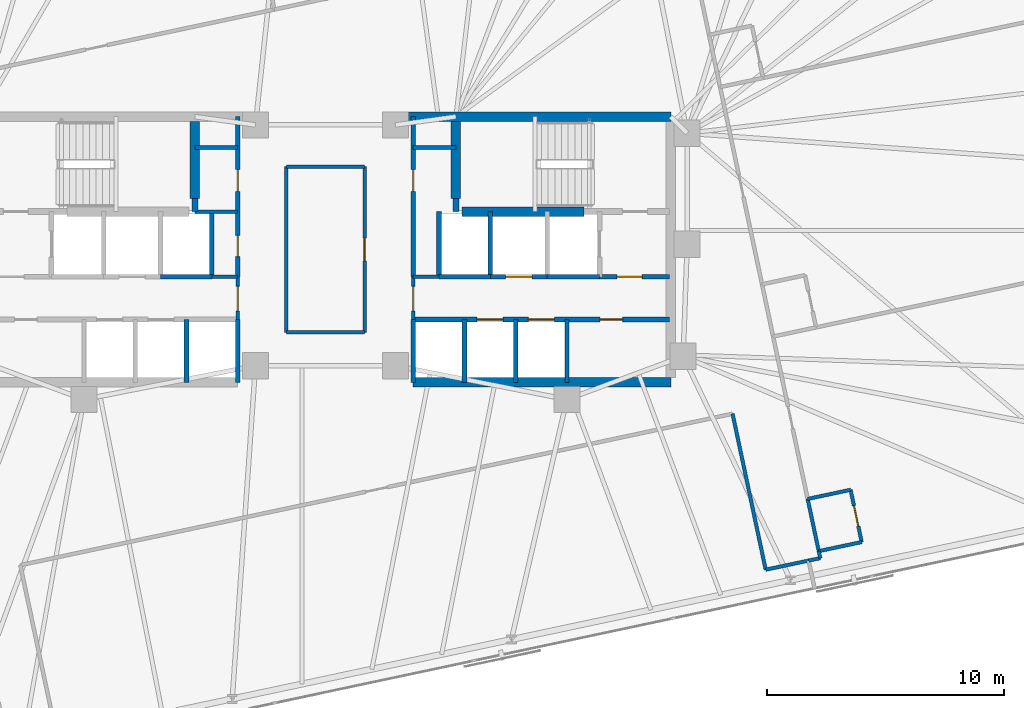
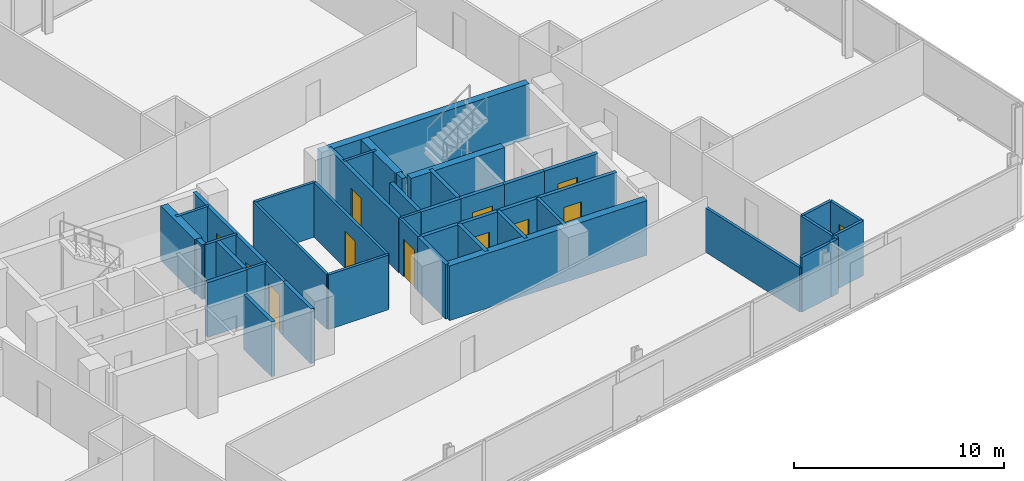
# One storey, part 15 of 19: 43 walls, 12 doors, 12 openings.
"""IFC4 building model written with IfcOpenShell, lengths in metres."""

from ifc_helpers import new_model, si_unit, direction, frame, frame_2d, origin, place, context, subcontext, project, spatial, rectangle, extrude, material, layer, layer_set, type_object, element, fill, save


model = new_model("IFC4")

# Units and contexts
model_context = context("Model", 3, precision=1e-05, world=origin(), true_north=direction((0.0, 1.0)))
body_context = subcontext(model_context, "Body", "Model", "MODEL_VIEW")
ifc_project = project(units=[si_unit("LENGTHUNIT", "METRE"), si_unit("AREAUNIT", "SQUARE_METRE"), si_unit("VOLUMEUNIT", "CUBIC_METRE"), si_unit("PLANEANGLEUNIT", "RADIAN"), si_unit("MASSUNIT", "GRAM", prefix="KILO")], contexts=[model_context])

# Site, building, storey
site_placement = place(None, origin())
site = spatial("IfcSite", under=ifc_project, at=site_placement, CompositionType="ELEMENT")
building_placement = place(site_placement, origin())
building = spatial("IfcBuilding", under=site, at=building_placement, Name="Menara Jurai Vektor", CompositionType="ELEMENT")
storey_placement = place(building_placement, frame((0.0, 0.0, 171.800048828125)))
storey = spatial("IfcBuildingStorey", under=building, at=storey_placement, Name="L44", CompositionType="ELEMENT", Elevation=171.800048828125)

# Walls
ifc_material_1 = material(Name="Concrete C40/50", Category="concrete")
ifc_layer_1 = layer(ifc_material_1, 0.25)
ifc_layer_set_1 = layer_set([ifc_layer_1], Name="Concrete C40/50")
wall_type_1 = type_object("IfcWallType", Name="INT-WALL-CORE-250", PredefinedType="STANDARD", material=ifc_layer_set_1)
for number, where, z_axis, x_axis, name in (
    (1, (-5.5, 1.60009765625, 0.0), (0.0, 0.0, 1.0), (0.0, 1.0, 0.0), "Interior Wall IW-250 L44"),
    (2, (5.5, 1.60009765625, 0.0), (0.0, 0.0, 1.0), (0.0, 1.0, 0.0), "Interior Wall IW-250 L44"),
):
    element("IfcWall", number, at=place(storey_placement, frame(where, z_axis=z_axis, x_axis=x_axis)), inside=storey, type_object=wall_type_1, Name=name, PredefinedType="STANDARD", context=body_context, shape_type="SweptSolid", body=[
        extrude(rectangle(XDim=0.5498046875, YDim=0.25, at=frame_2d((0.27490234375, 0.0))), origin(), (0.0, 0.0, 1.0), 3.175048828125),
    ])

# Wall, opening, door
wall_1_placement = place(storey_placement, frame((11.550048828125, -1.14990234375, 0.0), z_axis=(0.0, 0.0, 1.0), x_axis=(1.0, 0.0, 0.0)))
wall_1 = element("IfcWall", 3, at=wall_1_placement, inside=storey, type_object=wall_type_1, Name="Interior Wall IW-250 L44", PredefinedType="STANDARD", context=body_context, shape_type="SweptSolid", body=[
    extrude(rectangle(XDim=2.949951171875, YDim=0.199951171875, at=frame_2d((1.47509765625, 0.0))), origin(), (0.0, 0.0, 1.0), 3.175048828125),
])
opening_1_placement = place(wall_1_placement, frame((0.75, 0.0, 0.0)))
opening_1 = element("IfcOpeningElement", 4, at=opening_1_placement, cuts=wall_1, Name="Opening D-L44-FFE", PredefinedType="OPENING", context=body_context, shape_type="SweptSolid", body=[
    extrude(rectangle(XDim=1.050048828125, YDim=2.179931640625, at=frame_2d((0.52490234375, 1.08984375))), frame((0.0, 0.10986328125, 0.0), z_axis=(0.0, -1.0, 0.0), x_axis=(1.0, 0.0, 0.0)), (0.0, 0.0, 1.0), 0.219970703125),
])
ifc_material_2 = material(Name="Fire-Rated Timber Door", Category="wood")
door_type_1 = type_object("IfcDoorType", Name="DR-LOBBY-1050", OperationType="NOTDEFINED", PredefinedType="DOOR", material=ifc_material_2)
door_1_placement = place(opening_1_placement, origin())
door_1 = element("IfcDoor", 5, at=door_1_placement, inside=storey, type_object=door_type_1, Name="Fire Lift Lobby Door E L44", OperationType="SINGLE_SWING_LEFT", OverallHeight=2.179931640625, OverallWidth=1.050048828125, PredefinedType="DOOR", context=body_context, shape_type="SweptSolid", body=[
    extrude(rectangle(XDim=1.050048828125, YDim=2.179931640625, at=frame_2d((0.52490234375, 1.08984375))), frame((0.0, 0.02490234375, 0.0), z_axis=(0.0, -1.0, 0.0), x_axis=(1.0, 0.0, 0.0)), (0.0, 0.0, 1.0), 0.050048828125),
])
fill(opening_1, door_1)

# Wall
wall_2_placement = place(storey_placement, frame((9.35009765625, -1.14990234375, 0.0), z_axis=(0.0, 0.0, 1.0), x_axis=(1.0, 0.0, 0.0)))
element("IfcWall", 6, at=wall_2_placement, inside=storey, type_object=wall_type_1, Name="Interior Wall IW-250 L44", PredefinedType="STANDARD", context=body_context, shape_type="SweptSolid", body=[
    extrude(rectangle(XDim=2.199951171875, YDim=0.199951171875, at=frame_2d((1.10009765625, 0.0))), origin(), (0.0, 0.0, 1.0), 3.175048828125),
])

# Wall, opening, door
ifc_material_3 = material(Name="Gypsum Fireboard Partition", Category="gypsum")
ifc_layer_2 = layer(ifc_material_3, 0.14990234375)
ifc_layer_set_2 = layer_set([ifc_layer_2], Name="Gypsum Fireboard Partition")
wall_type_2 = type_object("IfcWallType", Name="INT-WALL-CORR-150", PredefinedType="PARTITIONING", material=ifc_layer_set_2)
wall_3_placement = place(storey_placement, frame((-3.699951171875, -2.949951171875, 0.0), z_axis=(0.0, 0.0, 1.0), x_axis=(0.0, 1.0, 0.0)))
wall_3 = element("IfcWall", 7, at=wall_3_placement, inside=storey, type_object=wall_type_2, Name="Interior Wall IW-150 L44", PredefinedType="PARTITIONING", context=body_context, shape_type="SweptSolid", body=[
    extrude(rectangle(XDim=1.800048828125, YDim=0.14990234375, at=frame_2d((0.89990234375, 0.0))), origin(), (0.0, 0.0, 1.0), 3.175048828125),
])
opening_2_placement = place(wall_3_placement, frame((0.35009765625, 0.0, 0.0)))
opening_2 = element("IfcOpeningElement", 8, at=opening_2_placement, cuts=wall_3, Name="Opening D-L44-LLW", PredefinedType="OPENING", context=body_context, shape_type="SweptSolid", body=[
    extrude(rectangle(XDim=1.050048828125, YDim=2.179931640625, at=frame_2d((0.52490234375, 1.08984375))), frame((0.0, 0.0849609375, 0.0), z_axis=(0.0, -1.0, 0.0), x_axis=(1.0, 0.0, 0.0)), (0.0, 0.0, 1.0), 0.169921875),
])
door_2_placement = place(opening_2_placement, origin())
door_2 = element("IfcDoor", 9, at=door_2_placement, inside=storey, type_object=door_type_1, Name="Lift Lobby Corridor Door W L44", OperationType="SINGLE_SWING_LEFT", OverallHeight=2.179931640625, OverallWidth=1.050048828125, PredefinedType="DOOR", context=body_context, shape_type="SweptSolid", body=[
    extrude(rectangle(XDim=1.050048828125, YDim=2.179931640625, at=frame_2d((0.52490234375, 1.08984375))), frame((0.0, 0.02490234375, 0.0), z_axis=(0.0, -1.0, 0.0), x_axis=(1.0, 0.0, 0.0)), (0.0, 0.0, 1.0), 0.050048828125),
])
fill(opening_2, door_2)

# Wall
wall_4_placement = place(storey_placement, frame((-4.7900390625, -1.14990234375, 0.0), z_axis=(0.0, 0.0, 1.0), x_axis=(1.0, 0.0, 0.0)))
element("IfcWall", 10, at=wall_4_placement, inside=storey, type_object=wall_type_2, Name="Interior Wall IW-150 L44", PredefinedType="PARTITIONING", context=body_context, shape_type="SweptSolid", body=[
    extrude(rectangle(XDim=1.090087890625, YDim=0.14990234375, at=frame_2d((0.544921875, 0.0))), origin(), (0.0, 0.0, 1.0), 3.175048828125),
])

# Wall, opening, door
wall_5_placement = place(storey_placement, frame((3.699951171875, -2.949951171875, 0.0), z_axis=(0.0, 0.0, 1.0), x_axis=(0.0, 1.0, 0.0)))
wall_5 = element("IfcWall", 11, at=wall_5_placement, inside=storey, type_object=wall_type_2, Name="Interior Wall IW-150 L44", PredefinedType="PARTITIONING", context=body_context, shape_type="SweptSolid", body=[
    extrude(rectangle(XDim=1.800048828125, YDim=0.14990234375, at=frame_2d((0.89990234375, 0.0))), origin(), (0.0, 0.0, 1.0), 3.175048828125),
])
opening_3_placement = place(wall_5_placement, frame((0.35009765625, 0.0, 0.0)))
opening_3 = element("IfcOpeningElement", 12, at=opening_3_placement, cuts=wall_5, Name="Opening D-L44-LLE", PredefinedType="OPENING", context=body_context, shape_type="SweptSolid", body=[
    extrude(rectangle(XDim=1.050048828125, YDim=2.179931640625, at=frame_2d((0.52490234375, 1.08984375))), frame((0.0, 0.0849609375, 0.0), z_axis=(0.0, -1.0, 0.0), x_axis=(1.0, 0.0, 0.0)), (0.0, 0.0, 1.0), 0.169921875),
])
door_3_placement = place(opening_3_placement, frame((1.050048828125, 0.0, 0.0), z_axis=(0.0, 0.0, 1.0), x_axis=(-1.0, 0.0, 0.0)))
door_3 = element("IfcDoor", 13, at=door_3_placement, inside=storey, type_object=door_type_1, Name="Lift Lobby Corridor Door E L44", OperationType="SINGLE_SWING_RIGHT", OverallHeight=2.179931640625, OverallWidth=1.050048828125, PredefinedType="DOOR", context=body_context, shape_type="SweptSolid", body=[
    extrude(rectangle(XDim=1.050048828125, YDim=2.179931640625, at=frame_2d((0.52490234375, 1.08984375))), frame((0.0, 0.02490234375, 0.0), z_axis=(0.0, -1.0, 0.0), x_axis=(1.0, 0.0, 0.0)), (0.0, 0.0, 1.0), 0.050048828125),
])
fill(opening_3, door_3)

# Walls
wall_6_placement = place(storey_placement, frame((3.699951171875, -1.14990234375, 0.0), z_axis=(0.0, 0.0, 1.0), x_axis=(1.0, 0.0, 0.0)))
element("IfcWall", 14, at=wall_6_placement, inside=storey, type_object=wall_type_2, Name="Interior Wall IW-150 L44", PredefinedType="PARTITIONING", context=body_context, shape_type="SweptSolid", body=[
    extrude(rectangle(XDim=1.090087890625, YDim=0.14990234375, at=frame_2d((0.544921875, 0.0))), origin(), (0.0, 0.0, 1.0), 3.175048828125),
])
for number, where, z_axis, x_axis, name in (
    (15, (-5.5, 4.300048828125, 0.0), (0.0, 0.0, 1.0), (1.0, 0.0, 0.0), "Interior Wall IW-150 L44"),
    (16, (-5.5, 1.60009765625, 0.0), (0.0, 0.0, 1.0), (1.0, 0.0, 0.0), "Interior Wall IW-150 L44"),
    (17, (3.699951171875, 4.300048828125, 0.0), (0.0, 0.0, 1.0), (1.0, 0.0, 0.0), "Interior Wall IW-150 L44"),
):
    element("IfcWall", number, at=place(storey_placement, frame(where, z_axis=z_axis, x_axis=x_axis)), inside=storey, type_object=wall_type_2, Name=name, PredefinedType="PARTITIONING", context=body_context, shape_type="SweptSolid", body=[
        extrude(rectangle(XDim=1.800048828125, YDim=0.14990234375, at=frame_2d((0.89990234375, 0.0))), origin(), (0.0, 0.0, 1.0), 3.175048828125),
    ])
wall_7_placement = place(storey_placement, frame((-1.64990234375, -3.489501953125, 0.0), z_axis=(0.0, 0.0, 1.0), x_axis=(-3.4979712e-05, 0.999999999388, 0.0)))
element("IfcWall", 18, at=wall_7_placement, inside=storey, type_object=wall_type_2, Name="Interior Wall IW-150 L44", PredefinedType="PARTITIONING", context=body_context, shape_type="SweptSolid", body=[
    extrude(rectangle(XDim=6.9794921875, YDim=0.14990234375, at=frame_2d((3.48974609375, 0.0))), origin(), (0.0, 0.0, 1.0), 3.175048828125),
])
wall_8_placement = place(storey_placement, frame((-1.64990234375, -3.489501953125, 0.0), z_axis=(0.0, 0.0, 1.0), x_axis=(0.999999975374, -0.000221926315, 0.0)))
element("IfcWall", 19, at=wall_8_placement, inside=storey, type_object=wall_type_2, Name="Interior Wall IW-150 L44", PredefinedType="PARTITIONING", context=body_context, shape_type="SweptSolid", body=[
    extrude(rectangle(XDim=3.30029296875, YDim=0.14990234375, at=frame_2d((1.650146484375, 0.0))), origin(), (0.0, 0.0, 1.0), 3.175048828125),
])
wall_9_placement = place(storey_placement, frame((-1.650146484375, 3.489990234375, 0.0), z_axis=(0.0, 0.0, 1.0), x_axis=(1.0, 0.0, 0.0)))
element("IfcWall", 20, at=wall_9_placement, inside=storey, type_object=wall_type_2, Name="Interior Wall IW-150 L44", PredefinedType="PARTITIONING", context=body_context, shape_type="SweptSolid", body=[
    extrude(rectangle(XDim=3.300048828125, YDim=0.14990234375, at=frame_2d((1.64990234375, 0.0))), origin(), (0.0, 0.0, 1.0), 3.175048828125),
])

# Wall, opening, door
wall_10_placement = place(storey_placement, frame((1.650390625, -3.490234375, 0.0), z_axis=(0.0, 0.0, 1.0), x_axis=(-6.9952083e-05, 0.999999997553, 0.0)))
wall_10 = element("IfcWall", 21, at=wall_10_placement, inside=storey, type_object=wall_type_2, Name="Interior Wall IW-150 L44", PredefinedType="PARTITIONING", context=body_context, shape_type="SweptSolid", body=[
    extrude(rectangle(XDim=6.980224609375, YDim=0.14990234375, at=frame_2d((3.490234375, 0.0))), origin(), (0.0, 0.0, 1.0), 3.175048828125),
])
opening_4_placement = place(wall_10_placement, frame((3.01513671875, 0.0, 0.0)))
opening_4 = element("IfcOpeningElement", 22, at=opening_4_placement, cuts=wall_10, Name="Opening D44-06", PredefinedType="OPENING", context=body_context, shape_type="SweptSolid", body=[
    extrude(rectangle(XDim=0.949951171875, YDim=2.14990234375, at=frame_2d((0.47509765625, 1.074951171875))), frame((0.0, 0.0849609375, 0.0), z_axis=(0.0, -1.0, 0.0), x_axis=(1.0, 0.0, 0.0)), (0.0, 0.0, 1.0), 0.169921875),
])
ifc_material_4 = material(Name="Solid Core Timber Fire Door", Category="wood")
door_type_2 = type_object("IfcDoorType", Name="DR-ENTRY-950", OperationType="NOTDEFINED", PredefinedType="DOOR", material=ifc_material_4)
door_4_placement = place(opening_4_placement, origin())
door_4 = element("IfcDoor", 23, at=door_4_placement, inside=storey, type_object=door_type_2, Name="Interior Door D44-06", OperationType="SINGLE_SWING_LEFT", OverallHeight=2.14990234375, OverallWidth=0.949951171875, PredefinedType="DOOR", context=body_context, shape_type="SweptSolid", body=[
    extrude(rectangle(XDim=0.949951171875, YDim=2.14990234375, at=frame_2d((0.47509765625, 1.074951171875))), frame((0.0, 0.02490234375, 0.0), z_axis=(0.0, -1.0, 0.0), x_axis=(1.0, 0.0, 0.0)), (0.0, 0.0, 1.0), 0.050048828125),
])
fill(opening_4, door_4)

# Walls
wall_11_placement = place(storey_placement, frame((18.5595703125, -13.498291015625, 0.0), z_axis=(0.0, 0.0, 1.0), x_axis=(0.978160192495, 0.207852442415, 0.0)))
element("IfcWall", 24, at=wall_11_placement, inside=storey, type_object=wall_type_2, Name="Interior Wall IW-150 L44", PredefinedType="PARTITIONING", context=body_context, shape_type="SweptSolid", body=[
    extrude(rectangle(XDim=1.849853515625, YDim=0.14990234375, at=frame_2d((0.9248046875, 0.0))), origin(), (0.0, 0.0, 1.0), 3.175048828125),
])
wall_12_placement = place(storey_placement, frame((20.369140625, -13.11376953125, 0.0), z_axis=(0.0, 0.0, 1.0), x_axis=(0.978143962546, 0.207928806409, 0.0)))
element("IfcWall", 25, at=wall_12_placement, inside=storey, type_object=wall_type_2, Name="Interior Wall IW-150 L44", PredefinedType="PARTITIONING", context=body_context, shape_type="SweptSolid", body=[
    extrude(rectangle(XDim=0.500244140625, YDim=0.14990234375, at=frame_2d((0.25, 0.0))), origin(), (0.0, 0.0, 1.0), 3.175048828125),
])
wall_13_placement = place(storey_placement, frame((20.8583984375, -13.009765625, 0.0), z_axis=(0.0, 0.0, 1.0), x_axis=(-0.208306395052, 0.978063620518, 0.0)))
element("IfcWall", 26, at=wall_13_placement, inside=storey, type_object=wall_type_2, Name="Interior Wall IW-150 L44", PredefinedType="PARTITIONING", context=body_context, shape_type="SweptSolid", body=[
    extrude(rectangle(XDim=0.300048828125, YDim=0.14990234375, at=frame_2d((0.14990234375, 0.0))), origin(), (0.0, 0.0, 1.0), 3.175048828125),
])
wall_14_placement = place(storey_placement, frame((20.7958984375, -12.71630859375, 0.0), z_axis=(0.0, 0.0, 1.0), x_axis=(-0.207891197838, 0.978151956427, 0.0)))
element("IfcWall", 27, at=wall_14_placement, inside=storey, type_object=wall_type_2, Name="Interior Wall IW-150 L44", PredefinedType="PARTITIONING", context=body_context, shape_type="SweptSolid", body=[
    extrude(rectangle(XDim=2.25, YDim=0.14990234375, at=frame_2d((1.125, 0.0))), origin(), (0.0, 0.0, 1.0), 3.175048828125),
])
for number, where, z_axis, x_axis, name in (
    (28, (20.7958984375, -12.71630859375, 0.0), (0.0, 0.0, 1.0), (0.978160192495, 0.207852442415, 0.0), "Interior Wall IW-150 L44"),
    (29, (20.328125, -10.515380859375, 0.0), (0.0, 0.0, 1.0), (0.978160192495, 0.207852442415, 0.0), "Interior Wall IW-150 L44"),
):
    element("IfcWall", number, at=place(storey_placement, frame(where, z_axis=z_axis, x_axis=x_axis)), inside=storey, type_object=wall_type_2, Name=name, PredefinedType="PARTITIONING", context=body_context, shape_type="SweptSolid", body=[
        extrude(rectangle(XDim=1.849853515625, YDim=0.14990234375, at=frame_2d((0.9248046875, 0.0))), origin(), (0.0, 0.0, 1.0), 3.175048828125),
    ])

# Wall, opening, door
wall_15_placement = place(storey_placement, frame((22.60546875, -12.331787109375, 0.0), z_axis=(0.0, 0.0, 1.0), x_axis=(-0.207891197838, 0.978151956427, 0.0)))
wall_15 = element("IfcWall", 30, at=wall_15_placement, inside=storey, type_object=wall_type_2, Name="Interior Wall IW-150 L44", PredefinedType="PARTITIONING", context=body_context, shape_type="SweptSolid", body=[
    extrude(rectangle(XDim=2.25, YDim=0.14990234375, at=frame_2d((1.125, 0.0))), origin(), (0.0, 0.0, 1.0), 3.175048828125),
])
opening_5_placement = place(wall_15_placement, frame((0.68505859375, 0.0, 0.0)))
opening_5 = element("IfcOpeningElement", 31, at=opening_5_placement, cuts=wall_15, Name="Opening D44-20", PredefinedType="OPENING", context=body_context, shape_type="SweptSolid", body=[
    extrude(rectangle(XDim=0.8798828125, YDim=2.14990234375, at=frame_2d((0.43994140625, 1.074951171875))), frame((0.0, 0.0849609375, 0.0), z_axis=(0.0, -1.0, 0.0), x_axis=(1.0, 0.0, 0.0)), (0.0, 0.0, 1.0), 0.169921875),
])
ifc_material_5 = material(Name="Moisture-Resistant Timber Door", Category="wood")
door_type_3 = type_object("IfcDoorType", Name="DR-BATH-880", OperationType="NOTDEFINED", PredefinedType="DOOR", material=ifc_material_5)
door_5_placement = place(opening_5_placement, origin())
door_5 = element("IfcDoor", 32, at=door_5_placement, inside=storey, type_object=door_type_3, Name="Interior Door D44-20", OperationType="SINGLE_SWING_LEFT", OverallHeight=2.14990234375, OverallWidth=0.8798828125, PredefinedType="DOOR", context=body_context, shape_type="SweptSolid", body=[
    extrude(rectangle(XDim=0.8798828125, YDim=2.14990234375, at=frame_2d((0.43994140625, 1.074951171875))), frame((0.0, 0.02490234375, 0.0), z_axis=(0.0, -1.0, 0.0), x_axis=(1.0, 0.0, 0.0)), (0.0, 0.0, 1.0), 0.050048828125),
])
fill(opening_5, door_5)

# Wall
ifc_layer_3 = layer(ifc_material_3, 0.14990234375)
ifc_layer_set_3 = layer_set([ifc_layer_3], Name="Gypsum Fireboard Partition")
wall_type_3 = type_object("IfcWallType", Name="INT-WALL-CORR-150-H2", PredefinedType="PARTITIONING", material=ifc_layer_set_3)
wall_16_placement = place(storey_placement, frame((18.5595703125, -13.498291015625, 0.0), z_axis=(0.0, 0.0, 1.0), x_axis=(-0.207888737749, 0.978152479278, 0.0)))
element("IfcWall", 33, at=wall_16_placement, inside=storey, type_object=wall_type_3, Name="Interior Wall IW-150 L44", PredefinedType="PARTITIONING", context=body_context, shape_type="SweptSolid", body=[
    extrude(rectangle(XDim=6.7197265625, YDim=0.14990234375, at=frame_2d((3.35986328125, 0.0))), origin(), (0.0, 0.0, 1.0), 2.574951171875),
])

# Wall, openings, doors
ifc_layer_4 = layer(ifc_material_1, 0.199951171875)
ifc_layer_set_4 = layer_set([ifc_layer_4], Name="Concrete C40/50")
wall_type_4 = type_object("IfcWallType", Name="INT-WALL-SHAFT-200", PredefinedType="STANDARD", material=ifc_layer_set_4)
wall_17_placement = place(storey_placement, frame((-3.699951171875, -1.14990234375, 0.0), z_axis=(0.0, 0.0, 1.0), x_axis=(0.0, 1.0, 0.0)))
wall_17 = element("IfcWall", 34, at=wall_17_placement, inside=storey, type_object=wall_type_4, Name="Interior Wall IW-200 L44", PredefinedType="STANDARD", context=body_context, shape_type="SweptSolid", body=[
    extrude(rectangle(XDim=6.75, YDim=0.199951171875, at=frame_2d((3.375, 0.0))), origin(), (0.0, 0.0, 1.0), 3.175048828125),
])
opening_6_placement = place(wall_17_placement, frame((3.60009765625, 0.0, 0.0)))
opening_6 = element("IfcOpeningElement", 35, at=opening_6_placement, cuts=wall_17, Name="Opening D44-02", PredefinedType="OPENING", context=body_context, shape_type="SweptSolid", body=[
    extrude(rectangle(XDim=0.919921875, YDim=2.14990234375, at=frame_2d((0.4599609375, 1.074951171875))), frame((0.0, 0.10986328125, 0.0), z_axis=(0.0, -1.0, 0.0), x_axis=(1.0, 0.0, 0.0)), (0.0, 0.0, 1.0), 0.219970703125),
])
opening_7_placement = place(wall_17_placement, frame((0.85009765625, 0.0, 0.0)))
opening_7 = element("IfcOpeningElement", 36, at=opening_7_placement, cuts=wall_17, Name="Opening D44-03", PredefinedType="OPENING", context=body_context, shape_type="SweptSolid", body=[
    extrude(rectangle(XDim=0.89990234375, YDim=2.14990234375, at=frame_2d((0.449951171875, 1.074951171875))), frame((0.0, 0.10986328125, 0.0), z_axis=(0.0, -1.0, 0.0), x_axis=(1.0, 0.0, 0.0)), (0.0, 0.0, 1.0), 0.219970703125),
])
door_6_placement = place(opening_6_placement, origin())
door_6 = element("IfcDoor", 37, at=door_6_placement, inside=storey, type_object=door_type_2, Name="Interior Door D44-02", OperationType="SINGLE_SWING_LEFT", OverallHeight=2.14990234375, OverallWidth=0.919921875, PredefinedType="DOOR", context=body_context, shape_type="SweptSolid", body=[
    extrude(rectangle(XDim=0.919921875, YDim=2.14990234375, at=frame_2d((0.4599609375, 1.074951171875))), frame((0.0, 0.02490234375, 0.0), z_axis=(0.0, -1.0, 0.0), x_axis=(1.0, 0.0, 0.0)), (0.0, 0.0, 1.0), 0.050048828125),
])
fill(opening_6, door_6)
door_7_placement = place(opening_7_placement, origin())
door_7 = element("IfcDoor", 38, at=door_7_placement, inside=storey, type_object=door_type_2, Name="Interior Door D44-03", OperationType="SINGLE_SWING_LEFT", OverallHeight=2.14990234375, OverallWidth=0.89990234375, PredefinedType="DOOR", context=body_context, shape_type="SweptSolid", body=[
    extrude(rectangle(XDim=0.89990234375, YDim=2.14990234375, at=frame_2d((0.449951171875, 1.074951171875))), frame((0.0, 0.02490234375, 0.0), z_axis=(0.0, -1.0, 0.0), x_axis=(1.0, 0.0, 0.0)), (0.0, 0.0, 1.0), 0.050048828125),
])
fill(opening_7, door_7)

# Walls
wall_18_placement = place(storey_placement, frame((-3.699951171875, -5.60009765625, 0.0), z_axis=(0.0, 0.0, 1.0), x_axis=(0.0, 1.0, 0.0)))
element("IfcWall", 39, at=wall_18_placement, inside=storey, type_object=wall_type_4, Name="Interior Wall IW-200 L44", PredefinedType="STANDARD", context=body_context, shape_type="SweptSolid", body=[
    extrude(rectangle(XDim=2.650146484375, YDim=0.199951171875, at=frame_2d((1.3251953125, 0.0))), origin(), (0.0, 0.0, 1.0), 3.175048828125),
])
wall_19_placement = place(storey_placement, frame((-4.7900390625, -1.14990234375, 0.0), z_axis=(0.0, 0.0, 1.0), x_axis=(0.0, 1.0, 0.0)))
element("IfcWall", 40, at=wall_19_placement, inside=storey, type_object=wall_type_4, Name="Interior Wall IW-200 L44", PredefinedType="STANDARD", context=body_context, shape_type="SweptSolid", body=[
    extrude(rectangle(XDim=2.75, YDim=0.199951171875, at=frame_2d((1.375, 0.0))), origin(), (0.0, 0.0, 1.0), 3.175048828125),
])
wall_20_placement = place(storey_placement, frame((-6.949951171875, -1.14990234375, 0.0), z_axis=(0.0, 0.0, 1.0), x_axis=(1.0, 0.0, 0.0)))
element("IfcWall", 41, at=wall_20_placement, inside=storey, type_object=wall_type_4, Name="Interior Wall IW-200 L44", PredefinedType="STANDARD", context=body_context, shape_type="SweptSolid", body=[
    extrude(rectangle(XDim=2.159912109375, YDim=0.199951171875, at=frame_2d((1.080078125, 0.0))), origin(), (0.0, 0.0, 1.0), 3.175048828125),
])
wall_21_placement = place(storey_placement, frame((-5.860107421875, -5.60009765625, 0.0), z_axis=(0.0, 0.0, 1.0), x_axis=(0.0, 1.0, 0.0)))
element("IfcWall", 42, at=wall_21_placement, inside=storey, type_object=wall_type_4, Name="Interior Wall IW-200 L44", PredefinedType="STANDARD", context=body_context, shape_type="SweptSolid", body=[
    extrude(rectangle(XDim=2.650146484375, YDim=0.199951171875, at=frame_2d((1.3251953125, 0.0))), origin(), (0.0, 0.0, 1.0), 3.175048828125),
])

# Wall, opening, door
wall_22_placement = place(storey_placement, frame((3.699951171875, -1.14990234375, 0.0), z_axis=(0.0, 0.0, 1.0), x_axis=(0.0, 1.0, 0.0)))
wall_22 = element("IfcWall", 43, at=wall_22_placement, inside=storey, type_object=wall_type_4, Name="Interior Wall IW-200 L44", PredefinedType="STANDARD", context=body_context, shape_type="SweptSolid", body=[
    extrude(rectangle(XDim=6.75, YDim=0.199951171875, at=frame_2d((3.375, 0.0))), origin(), (0.0, 0.0, 1.0), 3.175048828125),
])
opening_8_placement = place(wall_22_placement, frame((3.60009765625, 0.0, 0.0)))
opening_8 = element("IfcOpeningElement", 44, at=opening_8_placement, cuts=wall_22, Name="Opening D44-05", PredefinedType="OPENING", context=body_context, shape_type="SweptSolid", body=[
    extrude(rectangle(XDim=0.919921875, YDim=2.14990234375, at=frame_2d((0.4599609375, 1.074951171875))), frame((0.0, 0.10986328125, 0.0), z_axis=(0.0, -1.0, 0.0), x_axis=(1.0, 0.0, 0.0)), (0.0, 0.0, 1.0), 0.219970703125),
])
door_8_placement = place(opening_8_placement, origin())
door_8 = element("IfcDoor", 45, at=door_8_placement, inside=storey, type_object=door_type_2, Name="Interior Door D44-05", OperationType="SINGLE_SWING_RIGHT", OverallHeight=2.14990234375, OverallWidth=0.919921875, PredefinedType="DOOR", context=body_context, shape_type="SweptSolid", body=[
    extrude(rectangle(XDim=0.919921875, YDim=2.14990234375, at=frame_2d((0.4599609375, 1.074951171875))), frame((0.0, 0.02490234375, 0.0), z_axis=(0.0, -1.0, 0.0), x_axis=(1.0, 0.0, 0.0)), (0.0, 0.0, 1.0), 0.050048828125),
])
fill(opening_8, door_8)

# Walls
wall_23_placement = place(storey_placement, frame((3.699951171875, -5.60009765625, 0.0), z_axis=(0.0, 0.0, 1.0), x_axis=(0.0, 1.0, 0.0)))
element("IfcWall", 46, at=wall_23_placement, inside=storey, type_object=wall_type_4, Name="Interior Wall IW-200 L44", PredefinedType="STANDARD", context=body_context, shape_type="SweptSolid", body=[
    extrude(rectangle(XDim=2.650146484375, YDim=0.199951171875, at=frame_2d((1.3251953125, 0.0))), origin(), (0.0, 0.0, 1.0), 3.175048828125),
])
wall_24_placement = place(storey_placement, frame((6.949951171875, -1.14990234375, 0.0), z_axis=(0.0, 0.0, 1.0), x_axis=(0.0, 1.0, 0.0)))
element("IfcWall", 47, at=wall_24_placement, inside=storey, type_object=wall_type_4, Name="Interior Wall IW-200 L44", PredefinedType="STANDARD", context=body_context, shape_type="SweptSolid", body=[
    extrude(rectangle(XDim=2.75, YDim=0.199951171875, at=frame_2d((1.375, 0.0))), origin(), (0.0, 0.0, 1.0), 3.175048828125),
])

# Wall, opening, door
wall_25_placement = place(storey_placement, frame((6.949951171875, -1.14990234375, 0.0), z_axis=(0.0, 0.0, 1.0), x_axis=(1.0, 0.0, 0.0)))
wall_25 = element("IfcWall", 48, at=wall_25_placement, inside=storey, type_object=wall_type_4, Name="Interior Wall IW-200 L44", PredefinedType="STANDARD", context=body_context, shape_type="SweptSolid", body=[
    extrude(rectangle(XDim=2.400146484375, YDim=0.199951171875, at=frame_2d((1.2001953125, 0.0))), origin(), (0.0, 0.0, 1.0), 3.175048828125),
])
opening_9_placement = place(wall_25_placement, frame((0.64990234375, 0.0, 0.0)))
opening_9 = element("IfcOpeningElement", 49, at=opening_9_placement, cuts=wall_25, Name="Opening LD-L44-SVL2", PredefinedType="OPENING", context=body_context, shape_type="SweptSolid", body=[
    extrude(rectangle(XDim=1.10009765625, YDim=2.14990234375, at=frame_2d((0.550048828125, 1.074951171875))), frame((0.0, 0.10986328125, 0.0), z_axis=(0.0, -1.0, 0.0), x_axis=(1.0, 0.0, 0.0)), (0.0, 0.0, 1.0), 0.219970703125),
])
ifc_material_6 = material(Name="Anodised Stainless Sliding Lift Landing Door", Category="steel")
door_type_4 = type_object("IfcDoorType", Name="DR-LIFT-PASS-1100", OperationType="NOTDEFINED", PredefinedType="DOOR", material=ifc_material_6)
door_9_placement = place(opening_9_placement, origin())
door_9 = element("IfcDoor", 50, at=door_9_placement, inside=storey, type_object=door_type_4, Name="Lift Landing Door SVL2 L44", OperationType="SLIDING_TO_RIGHT", OverallHeight=2.14990234375, OverallWidth=1.10009765625, PredefinedType="DOOR", context=body_context, shape_type="SweptSolid", body=[
    extrude(rectangle(XDim=1.10009765625, YDim=2.14990234375, at=frame_2d((0.550048828125, 1.074951171875))), frame((0.0, 0.02490234375, 0.0), z_axis=(0.0, -1.0, 0.0), x_axis=(1.0, 0.0, 0.0)), (0.0, 0.0, 1.0), 0.050048828125),
])
fill(opening_9, door_9)

# Walls
wall_26_placement = place(storey_placement, frame((4.7900390625, -1.14990234375, 0.0), z_axis=(0.0, 0.0, 1.0), x_axis=(0.0, 1.0, 0.0)))
element("IfcWall", 51, at=wall_26_placement, inside=storey, type_object=wall_type_4, Name="Interior Wall IW-200 L44", PredefinedType="STANDARD", context=body_context, shape_type="SweptSolid", body=[
    extrude(rectangle(XDim=2.75, YDim=0.199951171875, at=frame_2d((1.375, 0.0))), origin(), (0.0, 0.0, 1.0), 3.175048828125),
])
wall_27_placement = place(storey_placement, frame((4.7900390625, -1.14990234375, 0.0), z_axis=(0.0, 0.0, 1.0), x_axis=(1.0, 0.0, 0.0)))
element("IfcWall", 52, at=wall_27_placement, inside=storey, type_object=wall_type_4, Name="Interior Wall IW-200 L44", PredefinedType="STANDARD", context=body_context, shape_type="SweptSolid", body=[
    extrude(rectangle(XDim=2.159912109375, YDim=0.199951171875, at=frame_2d((1.080078125, 0.0))), origin(), (0.0, 0.0, 1.0), 3.175048828125),
])

# Wall, openings, doors
wall_28_placement = place(storey_placement, frame((3.699951171875, -2.949951171875, 0.0), z_axis=(0.0, 0.0, 1.0), x_axis=(1.0, 0.0, 0.0)))
wall_28 = element("IfcWall", 53, at=wall_28_placement, inside=storey, type_object=wall_type_4, Name="Interior Wall IW-200 L44", PredefinedType="STANDARD", context=body_context, shape_type="SweptSolid", body=[
    extrude(rectangle(XDim=10.800048828125, YDim=0.199951171875, at=frame_2d((5.39990234375, 0.0))), origin(), (0.0, 0.0, 1.0), 3.175048828125),
])
opening_10_placement = place(wall_28_placement, frame((2.68994140625, 0.0, 0.0)))
opening_10 = element("IfcOpeningElement", 54, at=opening_10_placement, cuts=wall_28, Name="Opening LD-L44-PM3", PredefinedType="OPENING", context=body_context, shape_type="SweptSolid", body=[
    extrude(rectangle(XDim=1.10009765625, YDim=2.14990234375, at=frame_2d((0.550048828125, 1.074951171875))), frame((0.0, 0.10986328125, 0.0), z_axis=(0.0, -1.0, 0.0), x_axis=(1.0, 0.0, 0.0)), (0.0, 0.0, 1.0), 0.219970703125),
])
opening_11_placement = place(wall_28_placement, frame((4.85009765625, 0.0, 0.0)))
opening_11 = element("IfcOpeningElement", 55, at=opening_11_placement, cuts=wall_28, Name="Opening LD-L44-PM4", PredefinedType="OPENING", context=body_context, shape_type="SweptSolid", body=[
    extrude(rectangle(XDim=1.10009765625, YDim=2.14990234375, at=frame_2d((0.550048828125, 1.074951171875))), frame((0.0, 0.10986328125, 0.0), z_axis=(0.0, -1.0, 0.0), x_axis=(1.0, 0.0, 0.0)), (0.0, 0.0, 1.0), 0.219970703125),
])
opening_12_placement = place(wall_28_placement, frame((7.8798828125, 0.0, 0.0)))
opening_12 = element("IfcOpeningElement", 56, at=opening_12_placement, cuts=wall_28, Name="Opening D44-04", PredefinedType="OPENING", context=body_context, shape_type="SweptSolid", body=[
    extrude(rectangle(XDim=0.949951171875, YDim=2.14990234375, at=frame_2d((0.47509765625, 1.074951171875))), frame((0.0, 0.10986328125, 0.0), z_axis=(0.0, -1.0, 0.0), x_axis=(1.0, 0.0, 0.0)), (0.0, 0.0, 1.0), 0.219970703125),
])
door_10_placement = place(opening_12_placement, origin())
door_10 = element("IfcDoor", 57, at=door_10_placement, inside=storey, type_object=door_type_2, Name="Interior Door D44-04", OperationType="SINGLE_SWING_LEFT", OverallHeight=2.14990234375, OverallWidth=0.949951171875, PredefinedType="DOOR", context=body_context, shape_type="SweptSolid", body=[
    extrude(rectangle(XDim=0.949951171875, YDim=2.14990234375, at=frame_2d((0.47509765625, 1.074951171875))), frame((0.0, 0.02490234375, 0.0), z_axis=(0.0, -1.0, 0.0), x_axis=(1.0, 0.0, 0.0)), (0.0, 0.0, 1.0), 0.050048828125),
])
fill(opening_12, door_10)
door_11_placement = place(opening_10_placement, origin())
door_11 = element("IfcDoor", 58, at=door_11_placement, inside=storey, type_object=door_type_4, Name="Lift Landing Door PM3 L44", OperationType="SLIDING_TO_LEFT", OverallHeight=2.14990234375, OverallWidth=1.10009765625, PredefinedType="DOOR", context=body_context, shape_type="SweptSolid", body=[
    extrude(rectangle(XDim=1.10009765625, YDim=2.14990234375, at=frame_2d((0.550048828125, 1.074951171875))), frame((0.0, 0.02490234375, 0.0), z_axis=(0.0, -1.0, 0.0), x_axis=(1.0, 0.0, 0.0)), (0.0, 0.0, 1.0), 0.050048828125),
])
fill(opening_10, door_11)
door_12_placement = place(opening_11_placement, origin())
door_12 = element("IfcDoor", 59, at=door_12_placement, inside=storey, type_object=door_type_4, Name="Lift Landing Door PM4 L44", OperationType="SLIDING_TO_RIGHT", OverallHeight=2.14990234375, OverallWidth=1.10009765625, PredefinedType="DOOR", context=body_context, shape_type="SweptSolid", body=[
    extrude(rectangle(XDim=1.10009765625, YDim=2.14990234375, at=frame_2d((0.550048828125, 1.074951171875))), frame((0.0, 0.02490234375, 0.0), z_axis=(0.0, -1.0, 0.0), x_axis=(1.0, 0.0, 0.0)), (0.0, 0.0, 1.0), 0.050048828125),
])
fill(opening_11, door_12)

# Walls
wall_29_placement = place(storey_placement, frame((5.860107421875, -5.60009765625, 0.0), z_axis=(0.0, 0.0, 1.0), x_axis=(0.0, 1.0, 0.0)))
element("IfcWall", 60, at=wall_29_placement, inside=storey, type_object=wall_type_4, Name="Interior Wall IW-200 L44", PredefinedType="STANDARD", context=body_context, shape_type="SweptSolid", body=[
    extrude(rectangle(XDim=2.650146484375, YDim=0.199951171875, at=frame_2d((1.3251953125, 0.0))), origin(), (0.0, 0.0, 1.0), 3.175048828125),
])
for number, where, z_axis, x_axis, name in (
    (61, (10.179931640625, -5.60009765625, 0.0), (0.0, 0.0, 1.0), (0.0, 1.0, 0.0), "Interior Wall IW-200 L44"),
    (62, (8.02001953125, -5.60009765625, 0.0), (0.0, 0.0, 1.0), (0.0, 1.0, 0.0), "Interior Wall IW-200 L44"),
):
    element("IfcWall", number, at=place(storey_placement, frame(where, z_axis=z_axis, x_axis=x_axis)), inside=storey, type_object=wall_type_4, Name=name, PredefinedType="STANDARD", context=body_context, shape_type="SweptSolid", body=[
        extrude(rectangle(XDim=2.650146484375, YDim=0.179931640625, at=frame_2d((1.3251953125, 0.0))), origin(), (0.0, 0.0, 1.0), 3.175048828125),
    ])
ifc_material_7 = material(Name="Concrete C50/60", Category="concrete")
ifc_layer_5 = layer(ifc_material_7, 0.39990234375)
ifc_layer_set_5 = layer_set([ifc_layer_5], Name="Concrete C50/60")
wall_type_5 = type_object("IfcWallType", Name="STR-WALL-CORE400", PredefinedType="SHEAR", material=ifc_layer_set_5)
wall_30_placement = place(storey_placement, frame((-5.5, 2.14990234375, 0.0), z_axis=(0.0, 0.0, 1.0), x_axis=(0.0, 1.0, 0.0)))
element("IfcWall", 63, at=wall_30_placement, inside=storey, type_object=wall_type_5, Name="Core Shear Wall CW-W-ST L44", PredefinedType="SHEAR", context=body_context, shape_type="SweptSolid", body=[
    extrude(rectangle(XDim=3.25, YDim=0.39990234375, at=frame_2d((1.625, 0.0))), origin(), (0.0, 0.0, 1.0), 3.175048828125),
])
wall_31_placement = place(storey_placement, frame((3.14990234375, 5.60009765625, 0.0), z_axis=(0.0, 0.0, 1.0), x_axis=(1.0, 0.0, 0.0)))
element("IfcWall", 64, at=wall_31_placement, inside=storey, type_object=wall_type_5, Name="Core Shear Wall CW-E-N L44", PredefinedType="SHEAR", context=body_context, shape_type="SweptSolid", body=[
    extrude(rectangle(XDim=11.41015625, YDim=0.39990234375, at=frame_2d((5.705078125, 0.0))), origin(), (0.0, 0.0, 1.0), 3.175048828125),
])
wall_32_placement = place(storey_placement, frame((3.699951171875, -5.60009765625, 0.0), z_axis=(0.0, 0.0, 1.0), x_axis=(1.0, 0.0, 0.0)))
element("IfcWall", 65, at=wall_32_placement, inside=storey, type_object=wall_type_5, Name="Core Shear Wall CW-E-S L44", PredefinedType="SHEAR", context=body_context, shape_type="SweptSolid", body=[
    extrude(rectangle(XDim=10.860107421875, YDim=0.39990234375, at=frame_2d((5.43017578125, 0.0))), origin(), (0.0, 0.0, 1.0), 3.175048828125),
])
wall_33_placement = place(storey_placement, frame((5.5, 2.14990234375, 0.0), z_axis=(0.0, 0.0, 1.0), x_axis=(0.0, 1.0, 0.0)))
element("IfcWall", 66, at=wall_33_placement, inside=storey, type_object=wall_type_5, Name="Core Shear Wall CW-E-ST L44", PredefinedType="SHEAR", context=body_context, shape_type="SweptSolid", body=[
    extrude(rectangle(XDim=3.25, YDim=0.39990234375, at=frame_2d((1.625, 0.0))), origin(), (0.0, 0.0, 1.0), 3.175048828125),
])
wall_34_placement = place(storey_placement, frame((5.75, 1.60009765625, 0.0), z_axis=(0.0, 0.0, 1.0), x_axis=(1.0, 0.0, 0.0)))
element("IfcWall", 67, at=wall_34_placement, inside=storey, type_object=wall_type_5, Name="Core Shear Wall CW-E-STS L44", PredefinedType="SHEAR", context=body_context, shape_type="SweptSolid", body=[
    extrude(rectangle(XDim=5.14990234375, YDim=0.39990234375, at=frame_2d((2.574951171875, 0.0))), origin(), (0.0, 0.0, 1.0), 3.175048828125),
])

save(model, "model.ifc")
